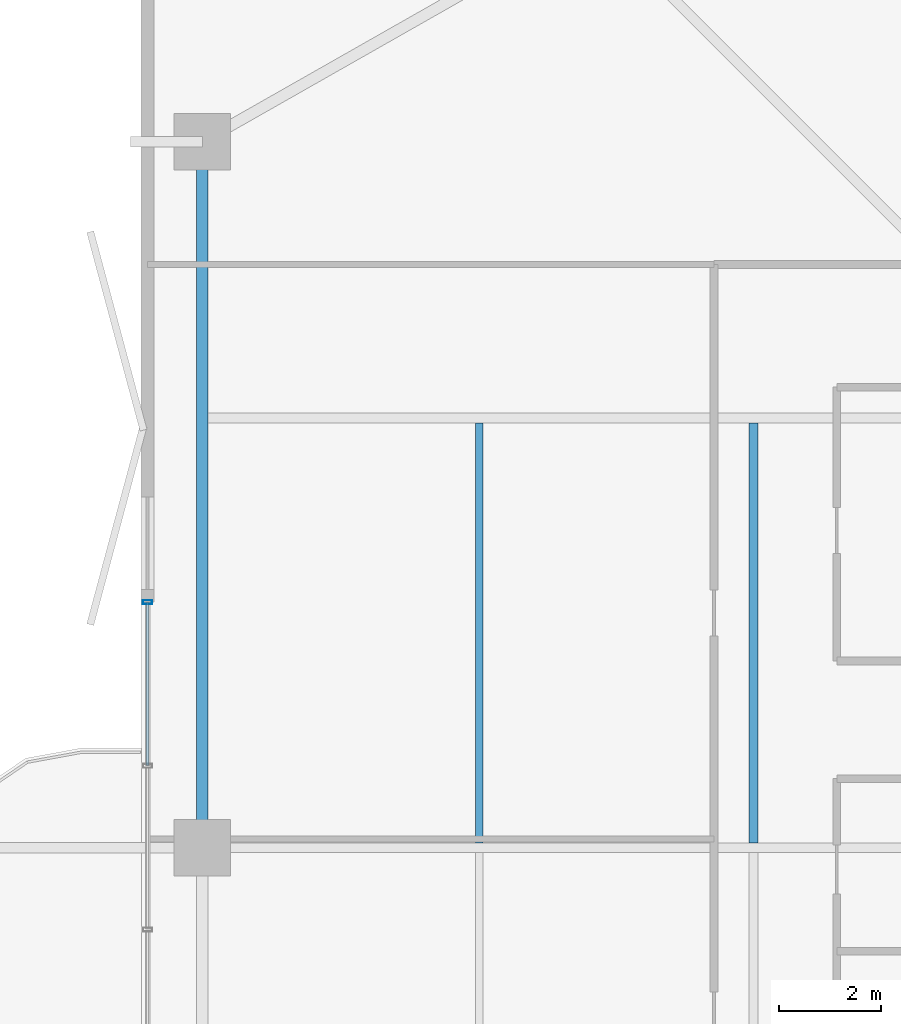
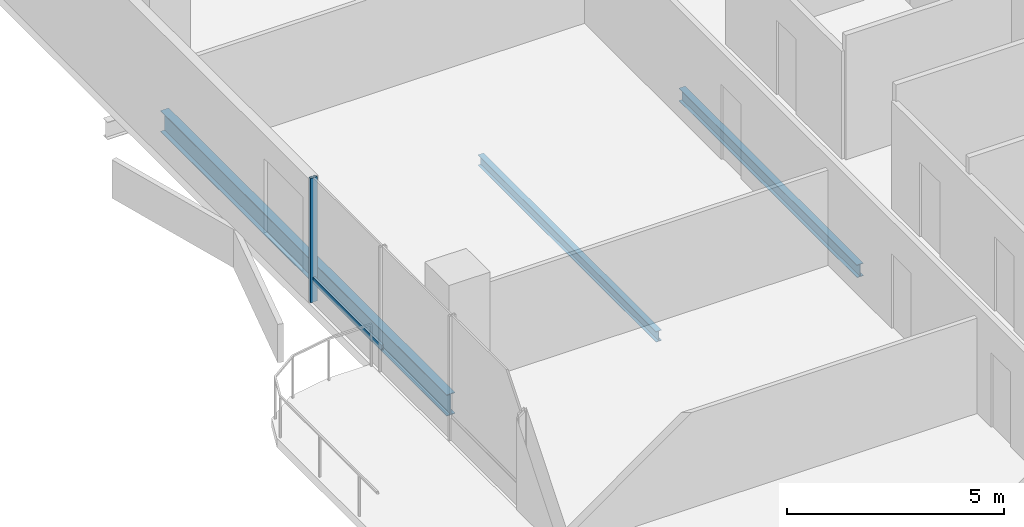
# One storey, part 9 of 24: 3 beams, 2 members, 1 element without a shape of its own.
"""IFC4 building model written with IfcOpenShell, lengths in metres."""

import ifcopenshell
import ifcopenshell.guid

model = None  # the IFC model being written
_history = None  # IfcOwnerHistory: only IFC2X3 demands one
_inside = {}  # id of a spatial element -> (the spatial element, [elements in it])
_under = {}  # id of a project, library or spatial element -> (it, [spatial elements below it])
_declared = {}  # id of a project -> (the project, [libraries it declares])
_typed = {}  # id of a type object -> (the type object, [elements of that type])
_made_of = {}  # id of a material, layer set ... -> (it, [elements and type objects made of it])


def new_model(schema):
    """Start an empty IFC model of exactly this schema.

    Asked for "IFC4X3", IfcOpenShell would pick the latest addendum, in which some entities
    have other attributes; the version numbers below select the first issue.
    IFC2X3 requires an IfcOwnerHistory on every rooted entity: one is made here for all.
    """
    global model, _history
    if schema == "IFC4X3":
        model = ifcopenshell.file(schema_version=(4, 3, 0, 0))
    else:
        model = ifcopenshell.file(schema=schema)
    _inside.clear()
    _under.clear()
    _declared.clear()
    _typed.clear()
    _made_of.clear()
    _history = None
    if model.schema == "IFC2X3":
        org = make("IfcOrganization", Name="unknown")
        user = make(
            "IfcPersonAndOrganization",
            ThePerson=make("IfcPerson", FamilyName="unknown"),
            TheOrganization=org,
        )
        app = make(
            "IfcApplication",
            ApplicationDeveloper=org,
            Version="unknown",
            ApplicationFullName="unknown",
            ApplicationIdentifier="unknown",
        )
        _history = make(
            "IfcOwnerHistory",
            OwningUser=user,
            OwningApplication=app,
            ChangeAction="ADDED",
            CreationDate=0,
        )
    return model


def make(cls, **values):
    """One entity of the class cls with the attributes given. An attribute that is None is left unset."""
    return model.create_entity(
        cls, **{name: value for name, value in values.items() if value is not None}
    )


def rooted(cls, **values):
    """An entity with a GlobalId (a new one), such as an element, a storey or a relation."""
    return make(cls, GlobalId=ifcopenshell.guid.new(), OwnerHistory=_history, **values)


def si_unit(unit_type, name, prefix=None):
    """IfcSIUnit, for example si_unit("LENGTHUNIT", "METRE", prefix="MILLI")."""
    return make("IfcSIUnit", UnitType=unit_type, Prefix=prefix, Name=name)


def assignment(units):
    """IfcUnitAssignment: the units of a project."""
    return None if units is None else make("IfcUnitAssignment", Units=units)


def point(xyz):
    """IfcCartesianPoint."""
    return None if xyz is None else make("IfcCartesianPoint", Coordinates=xyz)


def direction(xyz):
    """IfcDirection."""
    return None if xyz is None else make("IfcDirection", DirectionRatios=xyz)


def frame(location, z_axis=None, x_axis=None):
    """IfcAxis2Placement3D, a coordinate frame: its origin and axes. An axis left out is left unset."""
    return make(
        "IfcAxis2Placement3D",
        Location=point(location),
        Axis=direction(z_axis),
        RefDirection=direction(x_axis),
    )


def frame_2d(location, x_axis=None):
    """IfcAxis2Placement2D, a coordinate frame in the plane: its origin and x axis."""
    return make(
        "IfcAxis2Placement2D", Location=point(location), RefDirection=direction(x_axis)
    )


def origin():
    """The frame at (0, 0, 0) with its axes left unset."""
    return frame((0.0, 0.0, 0.0))


def origin_2d():
    """The frame at (0, 0) in the plane with its x axis left unset."""
    return frame_2d((0.0, 0.0))


def place(relative_to, where):
    """IfcLocalPlacement: puts the frame where relative to a parent placement (None: the world)."""
    return make(
        "IfcLocalPlacement", PlacementRelTo=relative_to, RelativePlacement=where
    )


def context(
    kind, dimensions, precision=None, world=None, true_north=None, identifier=None
):
    """IfcGeometricRepresentationContext, for example the 3D "Model" context."""
    return make(
        "IfcGeometricRepresentationContext",
        ContextIdentifier=identifier,
        ContextType=kind,
        CoordinateSpaceDimension=dimensions,
        Precision=precision,
        WorldCoordinateSystem=world,
        TrueNorth=true_north,
    )


def subcontext(parent, identifier, kind, view, scale=None):
    """IfcGeometricRepresentationSubContext, for example "Body" below "Model"."""
    return make(
        "IfcGeometricRepresentationSubContext",
        ContextIdentifier=identifier,
        ContextType=kind,
        ParentContext=parent,
        TargetScale=scale,
        TargetView=view,
    )


def project(units=None, contexts=None):
    """IfcProject with its units and contexts."""
    return rooted(
        "IfcProject",
        Name="project",
        RepresentationContexts=contexts,
        UnitsInContext=assignment(units),
    )


def spatial(cls, under=None, at=None, **own):
    """A site, building, storey or space (cls), placed at a placement, below another one or the project."""
    s = rooted(cls, ObjectPlacement=at, **own)
    if under is not None:
        _under.setdefault(under.id(), (under, []))[1].append(s)
    return s


def profile(cls, at=None, kind="AREA", **sizes):
    """A parametric profile (cls). Its sizes go by their IFC names, for example OverallWidth=200.0."""
    return make(cls, ProfileType=kind, Position=at, **sizes)


def hollow_rectangle(**sizes):
    """IfcRectangleHollowProfileDef."""
    return profile("IfcRectangleHollowProfileDef", **sizes)


def i_section(**sizes):
    """IfcIShapeProfileDef."""
    return profile("IfcIShapeProfileDef", **sizes)


def extrude(swept, where, along, depth):
    """IfcExtrudedAreaSolid: the profile swept, set in the frame where, extruded along a direction by depth."""
    return make(
        "IfcExtrudedAreaSolid",
        SweptArea=swept,
        Position=where,
        ExtrudedDirection=direction(along),
        Depth=depth,
    )


def shape(context_of_items, identifier, shape_type, items):
    """IfcShapeRepresentation: the items that make up one representation, for example the "Body"."""
    return make(
        "IfcShapeRepresentation",
        ContextOfItems=context_of_items,
        RepresentationIdentifier=identifier,
        RepresentationType=shape_type,
        Items=items,
    )


def material(Name=None, Category=None):
    """IfcMaterial."""
    return make("IfcMaterial", Name=Name, Category=Category)


def layer(
    of_material, thickness, ventilated=None, Name=None, Category=None, Priority=None
):
    """IfcMaterialLayer: one layer of a wall or slab, of a material (None: an air gap)."""
    return make(
        "IfcMaterialLayer",
        Material=of_material,
        LayerThickness=thickness,
        IsVentilated=ventilated,
        Name=Name,
        Category=Category,
        Priority=Priority,
    )


def layer_set(layers, Name=None):
    """IfcMaterialLayerSet."""
    return make("IfcMaterialLayerSet", MaterialLayers=layers, LayerSetName=Name)


def material_profile(
    of_material, cross_section, Name=None, Category=None, Priority=None
):
    """IfcMaterialProfile: a cross section and its material."""
    return make(
        "IfcMaterialProfile",
        Name=Name,
        Material=of_material,
        Profile=cross_section,
        Priority=Priority,
        Category=Category,
    )


def profile_set(profiles, Name=None, composite=None):
    """IfcMaterialProfileSet."""
    return make(
        "IfcMaterialProfileSet",
        Name=Name,
        MaterialProfiles=profiles,
        CompositeProfile=composite,
    )


def made_of(thing, what):
    """Note that an element or type object is made of a material, layer set ...; save() writes the relation."""
    if what is not None:
        _made_of.setdefault(what.id(), (what, []))[1].append(thing)
    return thing


def type_object(cls, material=None, **own):
    """A type object (cls), such as IfcWallType, which elements share."""
    return made_of(rooted(cls, **own), material)


def element(
    cls,
    number,
    at=None,
    inside=None,
    cuts=None,
    type_object=None,
    material=None,
    context=None,
    identifier="Body",
    shape_type=None,
    held_by="IfcProductDefinitionShape",
    body=None,
    shapes=None,
    **own,
):
    """One element of the class cls, such as IfcWall. Its Tag is "e" and its number.

    at: its placement. inside: the storey or other place that contains it. cuts: it is an
    opening in that element (IfcRelVoidsElement). A single representation is given by context,
    identifier, shape_type and body (its items); several are given by shapes. held_by: the class
    of the entity that holds the representations. save() writes the other relations.
    """
    e = rooted(cls, Tag="e%d" % number, ObjectPlacement=at, **own)
    if body is not None:
        shapes = [shape(context, identifier, shape_type, body)]
    if shapes is not None:
        e.Representation = make(held_by, Representations=shapes)
    if inside is not None:
        _inside.setdefault(inside.id(), (inside, []))[1].append(e)
    if cuts is not None:
        rooted(
            "IfcRelVoidsElement", RelatingBuildingElement=cuts, RelatedOpeningElement=e
        )
    if type_object is not None:
        _typed.setdefault(type_object.id(), (type_object, []))[1].append(e)
    return made_of(e, material)


def aggregate(whole, parts):
    """IfcRelAggregates: a whole, such as a stair, and the parts it consists of."""
    return rooted("IfcRelAggregates", RelatingObject=whole, RelatedObjects=parts)


def save(model, path):
    """Write the relations noted so far, then the file.

    IfcRelAggregates (storeys below a building ...), IfcRelContainedInSpatialStructure (elements
    in a storey), IfcRelDefinesByType, IfcRelAssociatesMaterial and IfcRelDeclares: one each for
    every whole, place, type object, material and project.
    """
    for whole, parts in _under.values():
        aggregate(whole, parts)
    for where, things in _inside.values():
        rooted(
            "IfcRelContainedInSpatialStructure",
            RelatedElements=things,
            RelatingStructure=where,
        )
    for kind, things in _typed.values():
        rooted("IfcRelDefinesByType", RelatedObjects=things, RelatingType=kind)
    for what, things in _made_of.values():
        rooted("IfcRelAssociatesMaterial", RelatedObjects=things, RelatingMaterial=what)
    for by, libraries in _declared.values():
        rooted("IfcRelDeclares", RelatingContext=by, RelatedDefinitions=libraries)
    model.write(path)


model = new_model("IFC4")

# Units and contexts
model_context = context("Model", 3, precision=1e-05, world=origin(), true_north=direction((0.0, 1.0)))
body_context = subcontext(model_context, "Body", "Model", "MODEL_VIEW")
ifc_project = project(units=[si_unit("LENGTHUNIT", "METRE"), si_unit("AREAUNIT", "SQUARE_METRE"), si_unit("VOLUMEUNIT", "CUBIC_METRE"), si_unit("PLANEANGLEUNIT", "RADIAN"), si_unit("MASSUNIT", "GRAM", prefix="KILO")], contexts=[model_context])

# Site, building, storey
site_placement = place(None, origin())
site = spatial("IfcSite", under=ifc_project, at=site_placement, CompositionType="ELEMENT")
building_placement = place(site_placement, origin())
building = spatial("IfcBuilding", under=site, at=building_placement, Name="Belovzor Exchange Tower", CompositionType="ELEMENT")
storey_placement = place(building_placement, frame((0.0, 0.0, 237.449951171875)))
storey = spatial("IfcBuildingStorey", under=building, at=storey_placement, Name="L59", CompositionType="ELEMENT", Elevation=237.449951171875)

# Beams
ifc_material_1 = material(Name="Steel S355", Category="steel")
ifc_material_profile_1 = material_profile(ifc_material_1, i_section(OverallWidth=0.169921875, OverallDepth=0.360107421875, WebThickness=0.008056640625, FlangeThickness=0.0126953125, at=origin_2d()))
ifc_profile_set_1 = profile_set([ifc_material_profile_1], Name="Steel S355")
beam_type_1 = type_object("IfcBeamType", Name="Secondary Infill Floor Joist IPE 360", PredefinedType="BEAM", material=ifc_profile_set_1)
beam_1_placement = place(storey_placement, frame((13.77197265625, 28.89501953125, -0.429931640625), z_axis=(0.0, 1.0, 0.0), x_axis=(-1.0, 0.0, 0.0)))
element("IfcBeam", 1, at=beam_1_placement, inside=storey, type_object=beam_type_1, Name="FJ-360 Secondary Infill Floor Joist IPE 360", PredefinedType="BEAM", context=body_context, shape_type="SweptSolid", body=[
    extrude(i_section(OverallWidth=0.169921875, OverallDepth=0.360107421875, WebThickness=0.008056640625, FlangeThickness=0.0126953125, at=origin_2d()), origin(), (0.0, 0.0, 1.0), 8.2099609375),
])
ifc_material_2 = material(Name="Steel S355", Category="steel")
ifc_material_profile_2 = material_profile(ifc_material_2, i_section(OverallWidth=0.14990234375, OverallDepth=0.300048828125, WebThickness=0.007080078125, FlangeThickness=0.0107421875, at=origin_2d()))
ifc_profile_set_2 = profile_set([ifc_material_profile_2], Name="Steel S355")
beam_type_2 = type_object("IfcBeamType", Name="Secondary Trim Floor Joist IPE 300", PredefinedType="BEAM", material=ifc_profile_set_2)
beam_2_placement = place(storey_placement, frame((8.4130859375, 28.89501953125, -0.39990234375), z_axis=(0.0, 1.0, 0.0), x_axis=(-1.0, 0.0, 0.0)))
element("IfcBeam", 2, at=beam_2_placement, inside=storey, type_object=beam_type_2, Name="FJ-300 Secondary Trim Floor Joist IPE 300", PredefinedType="BEAM", context=body_context, shape_type="SweptSolid", body=[
    extrude(i_section(OverallWidth=0.14990234375, OverallDepth=0.300048828125, WebThickness=0.007080078125, FlangeThickness=0.0107421875, at=origin_2d()), origin(), (0.0, 0.0, 1.0), 8.2099609375),
])

# Curtain wall, members
ifc_material_3 = material(Name="Anodised Aluminium Framing", Category="aluminium")
ifc_layer = layer(ifc_material_3, 0.179931640625)
ifc_layer_set = layer_set([ifc_layer], Name="Anodised Aluminium Framing")
curtain_wall_type = type_object("IfcCurtainWallType", Name="Recessed Loggia Low-Iron Triple-Glazed Curtain Wall", PredefinedType="NOTDEFINED", material=ifc_layer_set)
curtain_wall_placement = place(storey_placement, origin())
curtain_wall = element("IfcCurtainWall", 3, at=curtain_wall_placement, inside=storey, type_object=curtain_wall_type, Name="CW3 Recessed Loggia Low-Iron Triple-Glazed Curtain Wall L59", PredefinedType="NOTDEFINED")
ifc_material_4 = material(Name="Steel S355", Category="steel")
ifc_material_profile_3 = material_profile(ifc_material_4, hollow_rectangle(XDim=0.074951171875, YDim=0.179931640625, WallThickness=0.0048828125, at=origin_2d()))
ifc_profile_set_3 = profile_set([ifc_material_profile_3], Name="Steel S355")
member_type_1 = type_object("IfcMemberType", Name="Thermally Broken Curtain Wall Mullion 180x75", PredefinedType="MULLION", material=ifc_profile_set_3)
member_1_placement = place(storey_placement, frame((1.929931640625, 33.60009765625, 0.0), z_axis=(0.0, 0.0, 1.0), x_axis=(0.0, 1.0, 0.0)))
member_1 = element("IfcMember", 4, at=member_1_placement, type_object=member_type_1, Name="CW-M180 Curtain Wall Mullion 4", PredefinedType="MULLION", context=body_context, shape_type="SweptSolid", body=[
    extrude(hollow_rectangle(XDim=0.074951171875, YDim=0.179931640625, WallThickness=0.0048828125, at=origin_2d()), origin(), (0.0, 0.0, 1.0), 3.5),
])
ifc_material_5 = material(Name="Steel S355", Category="steel")
ifc_material_profile_4 = material_profile(ifc_material_5, hollow_rectangle(XDim=0.06005859375, YDim=0.14990234375, WallThickness=0.00390625, at=origin_2d()))
ifc_profile_set_4 = profile_set([ifc_material_profile_4], Name="Steel S355")
member_type_2 = type_object("IfcMemberType", Name="Thermally Broken Curtain Wall Transom 150x60", PredefinedType="USERDEFINED", material=ifc_profile_set_4)
member_2_placement = place(storey_placement, frame((1.929931640625, 30.407958984375, 0.630126953125), z_axis=(0.0, 1.0, 0.0), x_axis=(-1.0, 0.0, 0.0)))
member_2 = element("IfcMember", 5, at=member_2_placement, type_object=member_type_2, Name="CW-T150 Curtain Wall Transom 3", ObjectType="TRANSOM", PredefinedType="USERDEFINED", context=body_context, shape_type="SweptSolid", body=[
    extrude(hollow_rectangle(XDim=0.06005859375, YDim=0.14990234375, WallThickness=0.00390625, at=origin_2d()), origin(), (0.0, 0.0, 1.0), 3.18408203125),
])
aggregate(curtain_wall, [member_1, member_2])

# Beam
ifc_material_6 = material(Name="Steel S355", Category="steel")
ifc_material_profile_5 = material_profile(ifc_material_6, i_section(OverallWidth=0.219970703125, OverallDepth=0.60009765625, WebThickness=0.011962890625, FlangeThickness=0.01904296875, at=origin_2d()))
ifc_profile_set_5 = profile_set([ifc_material_profile_5], Name="Steel S355")
beam_type_3 = type_object("IfcBeamType", Name="Zone 4 Flare Primary Girder IPE 600", PredefinedType="BEAM", material=ifc_profile_set_5)
beam_3_placement = place(storey_placement, frame((3.0, 42.297119140625, -0.550048828125), z_axis=(0.0, -1.0, 0.0), x_axis=(1.0, 0.0, 0.0)))
element("IfcBeam", 6, at=beam_3_placement, inside=storey, type_object=beam_type_3, Name="FG-Z4 Zone 4 Flare Primary Girder IPE 600", PredefinedType="BEAM", context=body_context, shape_type="SweptSolid", body=[
    extrude(i_section(OverallWidth=0.219970703125, OverallDepth=0.60009765625, WebThickness=0.011962890625, FlangeThickness=0.01904296875, at=origin_2d()), origin(), (0.0, 0.0, 1.0), 13.195068359375),
])

save(model, "model.ifc")
